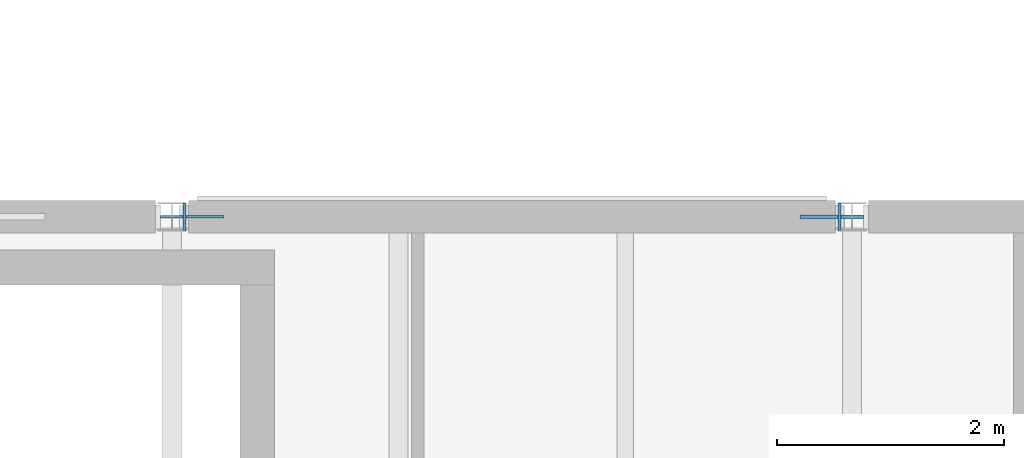
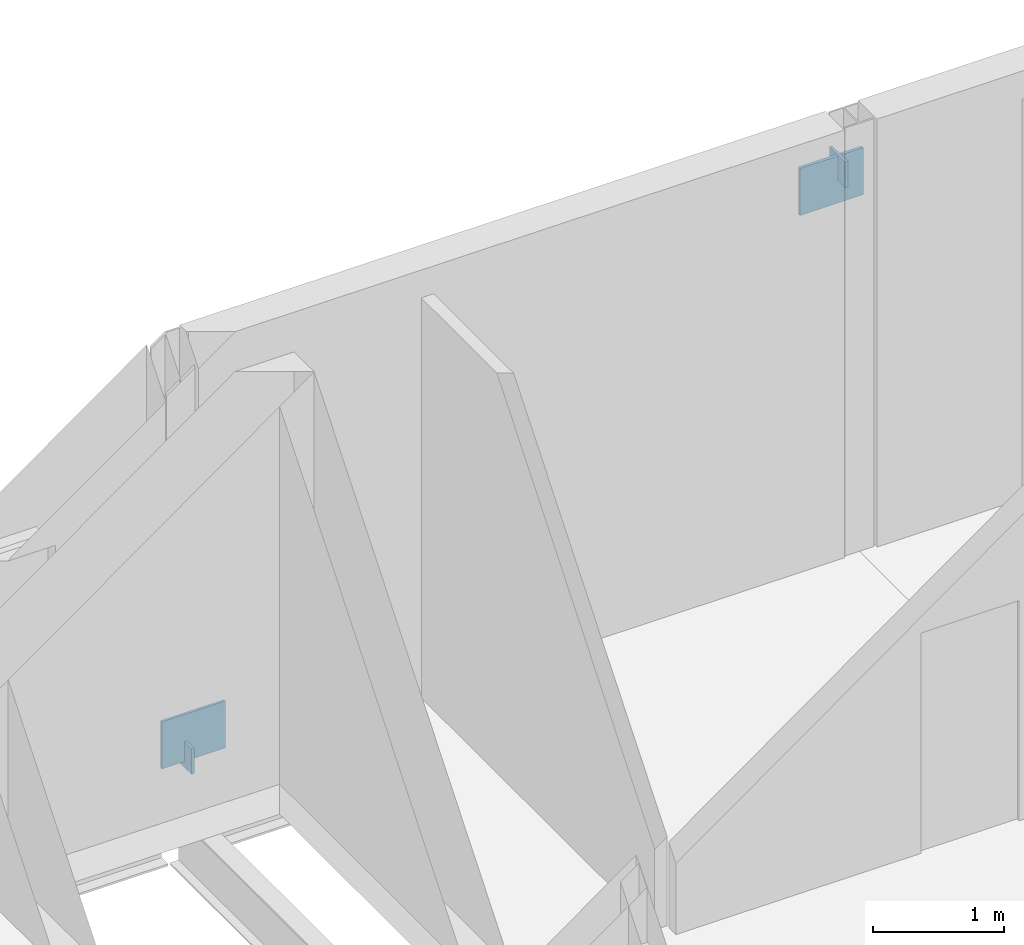
# One storey, part 26 of 45: 4 plates.
"""IFC4 building model written with IfcOpenShell, lengths in metres."""

from ifc_helpers import new_model, si_unit, direction, frame, origin, origin_2d, place, context, subcontext, project, spatial, rectangle, extrude, material, layer, layer_set, type_object, element, save


model = new_model("IFC4")

# Units and contexts
model_context = context("Model", 3, precision=1e-05, world=origin(), true_north=direction((0.0, 1.0)))
body_context = subcontext(model_context, "Body", "Model", "MODEL_VIEW")
ifc_project = project(units=[si_unit("LENGTHUNIT", "METRE"), si_unit("AREAUNIT", "SQUARE_METRE"), si_unit("VOLUMEUNIT", "CUBIC_METRE"), si_unit("PLANEANGLEUNIT", "RADIAN"), si_unit("MASSUNIT", "GRAM", prefix="KILO")], contexts=[model_context])

# Site, building, storey
site_placement = place(None, origin())
site = spatial("IfcSite", under=ifc_project, at=site_placement, CompositionType="ELEMENT")
building_placement = place(site_placement, origin())
building = spatial("IfcBuilding", under=site, at=building_placement, Name="Siltcreek Boulevard Central Fire Station", CompositionType="ELEMENT")
storey_placement = place(building_placement, frame((0.0, 0.0, 10.0)))
storey = spatial("IfcBuildingStorey", under=building, at=storey_placement, Name="L03", CompositionType="ELEMENT", Elevation=10.0)

# Plates
ifc_material = material(Name="Structural steel ASTM A572 Gr50", Category="steel")
ifc_layer_1 = layer(ifc_material, 0.02490234375, Name="Structural steel ASTM A572 Gr50")
ifc_layer_set_1 = layer_set([ifc_layer_1], Name="Structural steel ASTM A572 Gr50")
plate_type_1 = type_object("IfcPlateType", Name="PL_CAP25", PredefinedType="USERDEFINED", material=ifc_layer_set_1)
for number, where, z_axis, x_axis, name in (
    (1, (136.31103515625, 30.0, -0.025390625), (0.0, 0.0, 1.0), (1.0, 0.0, 0.0), "L03 buckling-restrained brace BR-041 sealed end cap 1"),
    (2, (142.089111328125, 30.0, 3.435546875), (0.0, 0.0, 1.0), (1.0, 0.0, 0.0), "L03 buckling-restrained brace BR-041 sealed end cap 2"),
):
    element("IfcPlate", number, at=place(storey_placement, frame(where, z_axis=z_axis, x_axis=x_axis)), inside=storey, type_object=plate_type_1, Name=name, ObjectType="END CAP", PredefinedType="USERDEFINED", context=body_context, shape_type="SweptSolid", body=[
        extrude(rectangle(XDim=0.02490234375, YDim=0.239990234375, at=origin_2d()), origin(), (0.0, 0.0, 1.0), 0.239990234375),
    ])
ifc_layer_2 = layer(ifc_material, 0.02197265625, Name="Structural steel ASTM A572 Gr50")
ifc_layer_set_2 = layer_set([ifc_layer_2], Name="Structural steel ASTM A572 Gr50")
plate_type_2 = type_object("IfcPlateType", Name="PL_GUS22", PredefinedType="USERDEFINED", material=ifc_layer_set_2)
plate_1_placement = place(storey_placement, frame((136.3798828125, 30.0, 0.030029296875), z_axis=(0.0, 0.0, 1.0), x_axis=(1.0, 0.0, 0.0)))
element("IfcPlate", 3, at=plate_1_placement, inside=storey, type_object=plate_type_2, Name="Seismic brace bot gusset plate GP-115", ObjectType="GUSSET PLATE", PredefinedType="USERDEFINED", context=body_context, shape_type="SweptSolid", body=[
    extrude(rectangle(XDim=0.56005859375, YDim=0.02197265625, at=origin_2d()), origin(), (0.0, 0.0, 1.0), 0.43994140625),
])
ifc_layer_3 = layer(ifc_material, 0.028076171875, Name="Structural steel ASTM A572 Gr50")
ifc_layer_set_3 = layer_set([ifc_layer_3], Name="Structural steel ASTM A572 Gr50")
plate_type_3 = type_object("IfcPlateType", Name="PL_GUS28", PredefinedType="USERDEFINED", material=ifc_layer_set_3)
plate_2_placement = place(storey_placement, frame((142.02001953125, 30.0, 3.22998046875), z_axis=(0.0, 0.0, 1.0), x_axis=(1.0, 0.0, 0.0)))
element("IfcPlate", 4, at=plate_2_placement, inside=storey, type_object=plate_type_3, Name="Seismic brace top gusset plate GP-116", ObjectType="GUSSET PLATE", PredefinedType="USERDEFINED", context=body_context, shape_type="SweptSolid", body=[
    extrude(rectangle(XDim=0.56005859375, YDim=0.028076171875, at=origin_2d()), origin(), (0.0, 0.0, 1.0), 0.43994140625),
])

save(model, "model.ifc")
